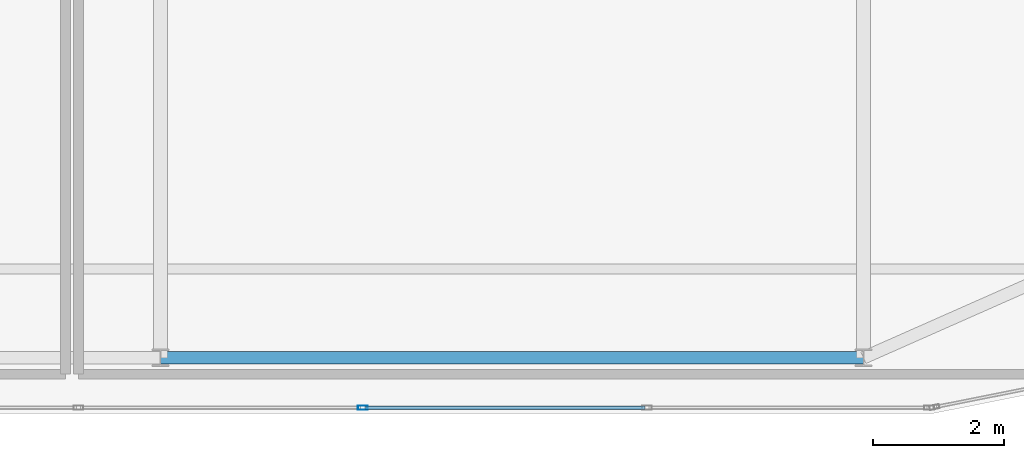
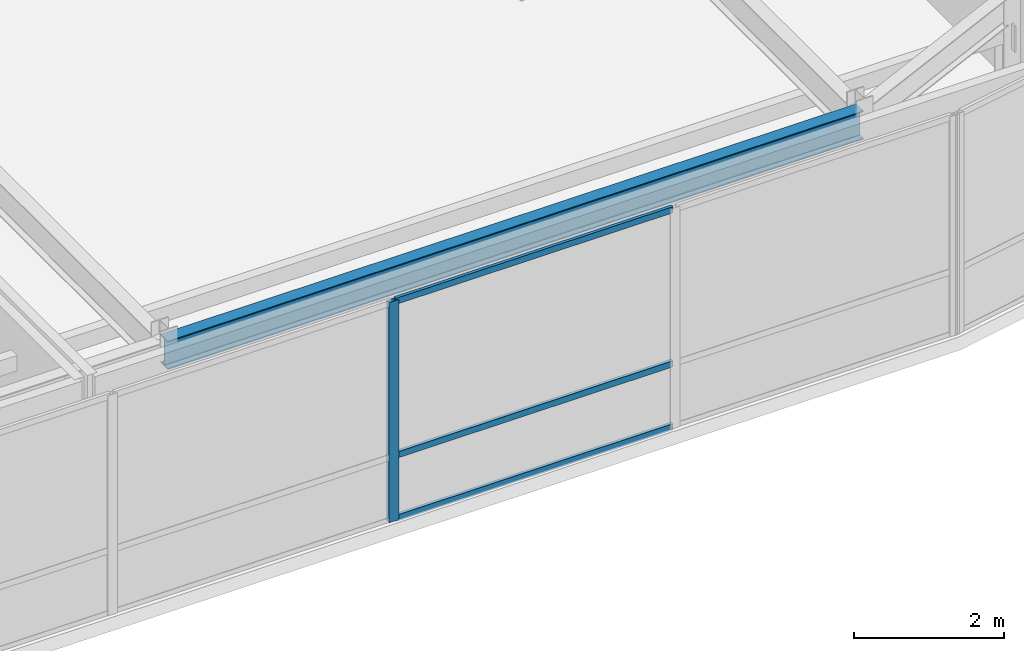
# One storey, part 12 of 36: 4 members, 1 beam, 1 element without a shape of its own.
"""IFC4 building model written with IfcOpenShell, lengths in metres."""

import ifcopenshell
import ifcopenshell.guid

model = None  # the IFC model being written
_history = None  # IfcOwnerHistory: only IFC2X3 demands one
_inside = {}  # id of a spatial element -> (the spatial element, [elements in it])
_under = {}  # id of a project, library or spatial element -> (it, [spatial elements below it])
_declared = {}  # id of a project -> (the project, [libraries it declares])
_typed = {}  # id of a type object -> (the type object, [elements of that type])
_made_of = {}  # id of a material, layer set ... -> (it, [elements and type objects made of it])


def new_model(schema):
    """Start an empty IFC model of exactly this schema.

    Asked for "IFC4X3", IfcOpenShell would pick the latest addendum, in which some entities
    have other attributes; the version numbers below select the first issue.
    IFC2X3 requires an IfcOwnerHistory on every rooted entity: one is made here for all.
    """
    global model, _history
    if schema == "IFC4X3":
        model = ifcopenshell.file(schema_version=(4, 3, 0, 0))
    else:
        model = ifcopenshell.file(schema=schema)
    _inside.clear()
    _under.clear()
    _declared.clear()
    _typed.clear()
    _made_of.clear()
    _history = None
    if model.schema == "IFC2X3":
        org = make("IfcOrganization", Name="unknown")
        user = make(
            "IfcPersonAndOrganization",
            ThePerson=make("IfcPerson", FamilyName="unknown"),
            TheOrganization=org,
        )
        app = make(
            "IfcApplication",
            ApplicationDeveloper=org,
            Version="unknown",
            ApplicationFullName="unknown",
            ApplicationIdentifier="unknown",
        )
        _history = make(
            "IfcOwnerHistory",
            OwningUser=user,
            OwningApplication=app,
            ChangeAction="ADDED",
            CreationDate=0,
        )
    return model


def make(cls, **values):
    """One entity of the class cls with the attributes given. An attribute that is None is left unset."""
    return model.create_entity(
        cls, **{name: value for name, value in values.items() if value is not None}
    )


def rooted(cls, **values):
    """An entity with a GlobalId (a new one), such as an element, a storey or a relation."""
    return make(cls, GlobalId=ifcopenshell.guid.new(), OwnerHistory=_history, **values)


def si_unit(unit_type, name, prefix=None):
    """IfcSIUnit, for example si_unit("LENGTHUNIT", "METRE", prefix="MILLI")."""
    return make("IfcSIUnit", UnitType=unit_type, Prefix=prefix, Name=name)


def assignment(units):
    """IfcUnitAssignment: the units of a project."""
    return None if units is None else make("IfcUnitAssignment", Units=units)


def point(xyz):
    """IfcCartesianPoint."""
    return None if xyz is None else make("IfcCartesianPoint", Coordinates=xyz)


def direction(xyz):
    """IfcDirection."""
    return None if xyz is None else make("IfcDirection", DirectionRatios=xyz)


def frame(location, z_axis=None, x_axis=None):
    """IfcAxis2Placement3D, a coordinate frame: its origin and axes. An axis left out is left unset."""
    return make(
        "IfcAxis2Placement3D",
        Location=point(location),
        Axis=direction(z_axis),
        RefDirection=direction(x_axis),
    )


def frame_2d(location, x_axis=None):
    """IfcAxis2Placement2D, a coordinate frame in the plane: its origin and x axis."""
    return make(
        "IfcAxis2Placement2D", Location=point(location), RefDirection=direction(x_axis)
    )


def origin():
    """The frame at (0, 0, 0) with its axes left unset."""
    return frame((0.0, 0.0, 0.0))


def origin_2d():
    """The frame at (0, 0) in the plane with its x axis left unset."""
    return frame_2d((0.0, 0.0))


def place(relative_to, where):
    """IfcLocalPlacement: puts the frame where relative to a parent placement (None: the world)."""
    return make(
        "IfcLocalPlacement", PlacementRelTo=relative_to, RelativePlacement=where
    )


def context(
    kind, dimensions, precision=None, world=None, true_north=None, identifier=None
):
    """IfcGeometricRepresentationContext, for example the 3D "Model" context."""
    return make(
        "IfcGeometricRepresentationContext",
        ContextIdentifier=identifier,
        ContextType=kind,
        CoordinateSpaceDimension=dimensions,
        Precision=precision,
        WorldCoordinateSystem=world,
        TrueNorth=true_north,
    )


def subcontext(parent, identifier, kind, view, scale=None):
    """IfcGeometricRepresentationSubContext, for example "Body" below "Model"."""
    return make(
        "IfcGeometricRepresentationSubContext",
        ContextIdentifier=identifier,
        ContextType=kind,
        ParentContext=parent,
        TargetScale=scale,
        TargetView=view,
    )


def project(units=None, contexts=None):
    """IfcProject with its units and contexts."""
    return rooted(
        "IfcProject",
        Name="project",
        RepresentationContexts=contexts,
        UnitsInContext=assignment(units),
    )


def spatial(cls, under=None, at=None, **own):
    """A site, building, storey or space (cls), placed at a placement, below another one or the project."""
    s = rooted(cls, ObjectPlacement=at, **own)
    if under is not None:
        _under.setdefault(under.id(), (under, []))[1].append(s)
    return s


def profile(cls, at=None, kind="AREA", **sizes):
    """A parametric profile (cls). Its sizes go by their IFC names, for example OverallWidth=200.0."""
    return make(cls, ProfileType=kind, Position=at, **sizes)


def hollow_rectangle(**sizes):
    """IfcRectangleHollowProfileDef."""
    return profile("IfcRectangleHollowProfileDef", **sizes)


def i_section(**sizes):
    """IfcIShapeProfileDef."""
    return profile("IfcIShapeProfileDef", **sizes)


def extrude(swept, where, along, depth):
    """IfcExtrudedAreaSolid: the profile swept, set in the frame where, extruded along a direction by depth."""
    return make(
        "IfcExtrudedAreaSolid",
        SweptArea=swept,
        Position=where,
        ExtrudedDirection=direction(along),
        Depth=depth,
    )


def shape(context_of_items, identifier, shape_type, items):
    """IfcShapeRepresentation: the items that make up one representation, for example the "Body"."""
    return make(
        "IfcShapeRepresentation",
        ContextOfItems=context_of_items,
        RepresentationIdentifier=identifier,
        RepresentationType=shape_type,
        Items=items,
    )


def source(mapping_origin, context_of_items, identifier, shape_type, items):
    """IfcRepresentationMap: a shape defined once, which mapped items show again and again."""
    return make(
        "IfcRepresentationMap",
        MappingOrigin=mapping_origin,
        MappedRepresentation=shape(context_of_items, identifier, shape_type, items),
    )


def transform(
    local_origin,
    x_axis=None,
    y_axis=None,
    z_axis=None,
    scale=None,
    scale2=None,
    scale3=None,
    uniform=True,
):
    """IfcCartesianTransformationOperator3D, or its non-uniform kind. x_axis, y_axis, z_axis: its Axis1, 2, 3."""
    if uniform:
        return make(
            "IfcCartesianTransformationOperator3D",
            Axis1=direction(x_axis),
            Axis2=direction(y_axis),
            LocalOrigin=point(local_origin),
            Scale=scale,
            Axis3=direction(z_axis),
        )
    return make(
        "IfcCartesianTransformationOperator3DnonUniform",
        Axis1=direction(x_axis),
        Axis2=direction(y_axis),
        LocalOrigin=point(local_origin),
        Scale=scale,
        Axis3=direction(z_axis),
        Scale2=scale2,
        Scale3=scale3,
    )


def mapped(mapping_source, mapping_target):
    """IfcMappedItem: shows the shape of a source again, moved by a transform."""
    return make(
        "IfcMappedItem", MappingSource=mapping_source, MappingTarget=mapping_target
    )


def material(Name=None, Category=None):
    """IfcMaterial."""
    return make("IfcMaterial", Name=Name, Category=Category)


def layer(
    of_material, thickness, ventilated=None, Name=None, Category=None, Priority=None
):
    """IfcMaterialLayer: one layer of a wall or slab, of a material (None: an air gap)."""
    return make(
        "IfcMaterialLayer",
        Material=of_material,
        LayerThickness=thickness,
        IsVentilated=ventilated,
        Name=Name,
        Category=Category,
        Priority=Priority,
    )


def layer_set(layers, Name=None):
    """IfcMaterialLayerSet."""
    return make("IfcMaterialLayerSet", MaterialLayers=layers, LayerSetName=Name)


def material_profile(
    of_material, cross_section, Name=None, Category=None, Priority=None
):
    """IfcMaterialProfile: a cross section and its material."""
    return make(
        "IfcMaterialProfile",
        Name=Name,
        Material=of_material,
        Profile=cross_section,
        Priority=Priority,
        Category=Category,
    )


def profile_set(profiles, Name=None, composite=None):
    """IfcMaterialProfileSet."""
    return make(
        "IfcMaterialProfileSet",
        Name=Name,
        MaterialProfiles=profiles,
        CompositeProfile=composite,
    )


def made_of(thing, what):
    """Note that an element or type object is made of a material, layer set ...; save() writes the relation."""
    if what is not None:
        _made_of.setdefault(what.id(), (what, []))[1].append(thing)
    return thing


def type_object(cls, material=None, **own):
    """A type object (cls), such as IfcWallType, which elements share."""
    return made_of(rooted(cls, **own), material)


def type_shapes(of_type, sources):
    """Give a type object the sources (RepresentationMaps) that its elements show as mapped items."""
    of_type.RepresentationMaps = sources


def element(
    cls,
    number,
    at=None,
    inside=None,
    cuts=None,
    type_object=None,
    material=None,
    context=None,
    identifier="Body",
    shape_type=None,
    held_by="IfcProductDefinitionShape",
    body=None,
    shapes=None,
    **own,
):
    """One element of the class cls, such as IfcWall. Its Tag is "e" and its number.

    at: its placement. inside: the storey or other place that contains it. cuts: it is an
    opening in that element (IfcRelVoidsElement). A single representation is given by context,
    identifier, shape_type and body (its items); several are given by shapes. held_by: the class
    of the entity that holds the representations. save() writes the other relations.
    """
    e = rooted(cls, Tag="e%d" % number, ObjectPlacement=at, **own)
    if body is not None:
        shapes = [shape(context, identifier, shape_type, body)]
    if shapes is not None:
        e.Representation = make(held_by, Representations=shapes)
    if inside is not None:
        _inside.setdefault(inside.id(), (inside, []))[1].append(e)
    if cuts is not None:
        rooted(
            "IfcRelVoidsElement", RelatingBuildingElement=cuts, RelatedOpeningElement=e
        )
    if type_object is not None:
        _typed.setdefault(type_object.id(), (type_object, []))[1].append(e)
    return made_of(e, material)


def aggregate(whole, parts):
    """IfcRelAggregates: a whole, such as a stair, and the parts it consists of."""
    return rooted("IfcRelAggregates", RelatingObject=whole, RelatedObjects=parts)


def save(model, path):
    """Write the relations noted so far, then the file.

    IfcRelAggregates (storeys below a building ...), IfcRelContainedInSpatialStructure (elements
    in a storey), IfcRelDefinesByType, IfcRelAssociatesMaterial and IfcRelDeclares: one each for
    every whole, place, type object, material and project.
    """
    for whole, parts in _under.values():
        aggregate(whole, parts)
    for where, things in _inside.values():
        rooted(
            "IfcRelContainedInSpatialStructure",
            RelatedElements=things,
            RelatingStructure=where,
        )
    for kind, things in _typed.values():
        rooted("IfcRelDefinesByType", RelatedObjects=things, RelatingType=kind)
    for what, things in _made_of.values():
        rooted("IfcRelAssociatesMaterial", RelatedObjects=things, RelatingMaterial=what)
    for by, libraries in _declared.values():
        rooted("IfcRelDeclares", RelatingContext=by, RelatedDefinitions=libraries)
    model.write(path)


model = new_model("IFC4")

# Units and contexts
model_context = context("Model", 3, precision=1e-05, world=origin(), true_north=direction((0.0, 1.0)))
body_context = subcontext(model_context, "Body", "Model", "MODEL_VIEW")
ifc_project = project(units=[si_unit("LENGTHUNIT", "METRE"), si_unit("AREAUNIT", "SQUARE_METRE"), si_unit("VOLUMEUNIT", "CUBIC_METRE"), si_unit("PLANEANGLEUNIT", "RADIAN"), si_unit("MASSUNIT", "GRAM", prefix="KILO")], contexts=[model_context])

# Site, building, storey
site_placement = place(None, origin())
site = spatial("IfcSite", under=ifc_project, at=site_placement, CompositionType="ELEMENT")
building_placement = place(site_placement, origin())
building = spatial("IfcBuilding", under=site, at=building_placement, Name="Tolvann Quenvar Hotel", CompositionType="ELEMENT")
storey_placement = place(building_placement, frame((0.0, 0.0, 298.550048828125)))
storey = spatial("IfcBuildingStorey", under=building, at=storey_placement, Name="L79", CompositionType="ELEMENT", Elevation=298.550048828125)

# Beam
ifc_material_1 = material(Name="Steel Grade 350", Category="steel")
ifc_material_profile_1 = material_profile(ifc_material_1, i_section(OverallWidth=0.19091796875, OverallDepth=0.4599609375, WebThickness=0.010009765625, FlangeThickness=0.01611328125, FilletRadius=0.011474609375, at=origin_2d()), Name="460UB82")
ifc_profile_set_1 = profile_set([ifc_material_profile_1], Name="Steel Grade 350")
beam_type = type_object("IfcBeamType", Name="BM_SPAND_460UB82", PredefinedType="SPANDREL", material=ifc_profile_set_1)
shared_shape_1 = source(origin(), body_context, "Body", "SweptSolid", [
    extrude(i_section(OverallWidth=0.19091796875, OverallDepth=0.4599609375, WebThickness=0.010009765625, FlangeThickness=0.01611328125, FilletRadius=0.011474609375, at=origin_2d()), origin(), (0.0, 0.0, 1.0), 10.699951171875),
])
type_shapes(beam_type, [shared_shape_1])
beam_placement = place(storey_placement, frame((22.050048828125, 7.050048828125, 3.349853515625), z_axis=(1.0, 0.0, 0.0), x_axis=(0.0, 1.0, 0.0)))
element("IfcBeam", 1, at=beam_placement, inside=storey, type_object=beam_type, Name="BM-L79-EW-2-E2-FP2", PredefinedType="SPANDREL", context=body_context, shape_type="MappedRepresentation", body=[
    mapped(shared_shape_1, transform((0.0, 0.0, 0.0), x_axis=(1.0, 0.0, 0.0), y_axis=(0.0, 1.0, 0.0), z_axis=(0.0, 0.0, 1.0), scale=1.0)),
])

# Curtain wall, members
ifc_material_2 = material(Name="Thermally broken anodised architectural aluminium 6063-T6 and laminated low-E glass", Category="aluminium")
ifc_layer = layer(ifc_material_2, 0.179931640625)
ifc_layer_set = layer_set([ifc_layer], Name="Thermally broken anodised architectural aluminium 6063-T6 and laminated low-E glass")
curtain_wall_type = type_object("IfcCurtainWallType", Name="CW_SYS_LANT_06", PredefinedType="USERDEFINED", material=ifc_layer_set)
curtain_wall_placement = place(storey_placement, origin())
curtain_wall = element("IfcCurtainWall", 2, at=curtain_wall_placement, inside=storey, type_object=curtain_wall_type, Name="Curtain Wall CW-LANT-06 (CWR-L79-E04)", ObjectType="UNITISED CURTAIN WALL", PredefinedType="USERDEFINED")
ifc_material_3 = material(Name="Anodised architectural aluminium 6063-T6 framing", Category="aluminium")
ifc_material_profile_2 = material_profile(ifc_material_3, hollow_rectangle(XDim=0.050048828125, YDim=0.10009765625, WallThickness=0.0029296875, at=origin_2d()), Name="100x50x3RHS")
ifc_profile_set_2 = profile_set([ifc_material_profile_2], Name="Anodised architectural aluminium 6063-T6 framing")
member_type_1 = type_object("IfcMemberType", Name="CW_TRAN_100x50", PredefinedType="USERDEFINED", material=ifc_profile_set_2)
shared_shape_2 = source(origin(), body_context, "Body", "SweptSolid", [
    extrude(hollow_rectangle(XDim=0.050048828125, YDim=0.10009765625, WallThickness=0.0029296875, at=origin_2d()), origin(), (0.0, 0.0, 1.0), 4.262451171875),
])
type_shapes(member_type_1, [shared_shape_2])
member_1_placement = place(storey_placement, frame((25.16015625, 6.2900390625, 0.02490234375), z_axis=(1.0, 0.0, 0.0), x_axis=(0.0, 1.0, 0.0)))
member_1 = element("IfcMember", 3, at=member_1_placement, type_object=member_type_1, Name="CW-LANT-06 transom 5.1", ObjectType="TRANSOM", PredefinedType="USERDEFINED", context=body_context, shape_type="MappedRepresentation", body=[
    mapped(shared_shape_2, transform((0.0, 0.0, 0.0), x_axis=(1.0, 0.0, 0.0), y_axis=(0.0, 1.0, 0.0), z_axis=(0.0, 0.0, 1.0), scale=1.0)),
])
member_2_placement = place(storey_placement, frame((25.16015625, 6.2900390625, 1.050048828125), z_axis=(1.0, 0.0, 0.0), x_axis=(0.0, 1.0, 0.0)))
member_2 = element("IfcMember", 4, at=member_2_placement, type_object=member_type_1, Name="CW-LANT-06 transom 5.2", ObjectType="TRANSOM", PredefinedType="USERDEFINED", context=body_context, shape_type="MappedRepresentation", body=[
    mapped(shared_shape_2, transform((0.0, 0.0, 0.0), x_axis=(1.0, 0.0, 0.0), y_axis=(0.0, 1.0, 0.0), z_axis=(0.0, 0.0, 1.0), scale=1.0)),
])
member_3_placement = place(storey_placement, frame((25.16015625, 6.2900390625, 3.554931640625), z_axis=(1.0, 0.0, 0.0), x_axis=(0.0, 1.0, 0.0)))
member_3 = element("IfcMember", 5, at=member_3_placement, type_object=member_type_1, Name="CW-LANT-06 transom 5.3", ObjectType="TRANSOM", PredefinedType="USERDEFINED", context=body_context, shape_type="MappedRepresentation", body=[
    mapped(shared_shape_2, transform((0.0, 0.0, 0.0), x_axis=(1.0, 0.0, 0.0), y_axis=(0.0, 1.0, 0.0), z_axis=(0.0, 0.0, 1.0), scale=1.0)),
])
ifc_material_profile_3 = material_profile(ifc_material_3, hollow_rectangle(XDim=0.06494140625, YDim=0.14990234375, WallThickness=0.00390625, at=origin_2d()), Name="150x65x4RHS")
ifc_profile_set_3 = profile_set([ifc_material_profile_3], Name="Anodised architectural aluminium 6063-T6 framing")
member_type_2 = type_object("IfcMemberType", Name="CW_MULL_150x65", PredefinedType="MULLION", material=ifc_profile_set_3)
shared_shape_3 = source(origin(), body_context, "Body", "SweptSolid", [
    extrude(hollow_rectangle(XDim=0.06494140625, YDim=0.14990234375, WallThickness=0.00390625, at=origin_2d()), origin(), (0.0, 0.0, 1.0), 3.579833984375),
])
type_shapes(member_type_2, [shared_shape_3])
member_4_placement = place(storey_placement, frame((25.127685546875, 6.2900390625, 0.0), z_axis=(0.0, 0.0, 1.0), x_axis=(0.0, 1.0, 0.0)))
member_4 = element("IfcMember", 6, at=member_4_placement, type_object=member_type_2, Name="CW-LANT-06 mullion 5", PredefinedType="MULLION", context=body_context, shape_type="MappedRepresentation", body=[
    mapped(shared_shape_3, transform((0.0, 0.0, 0.0), x_axis=(1.0, 0.0, 0.0), y_axis=(0.0, 1.0, 0.0), z_axis=(0.0, 0.0, 1.0), scale=1.0)),
])
aggregate(curtain_wall, [member_4, member_1, member_2, member_3])

save(model, "model.ifc")
